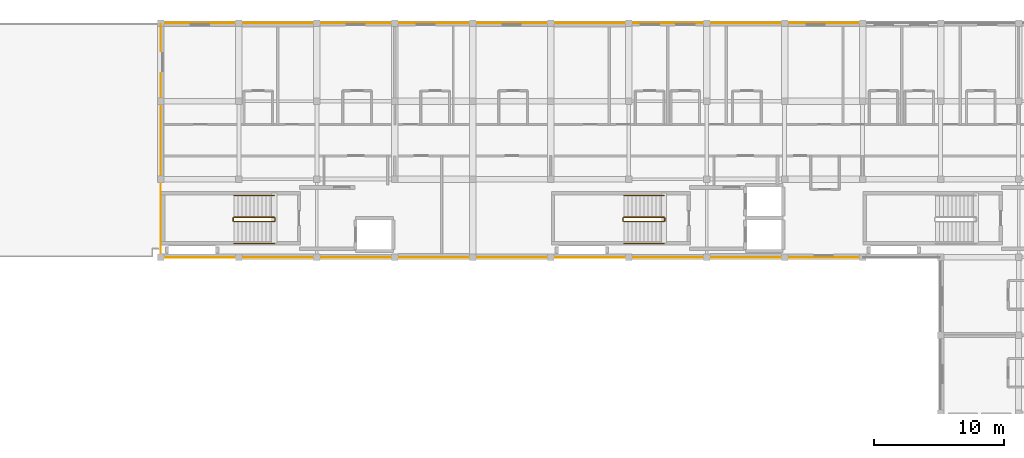
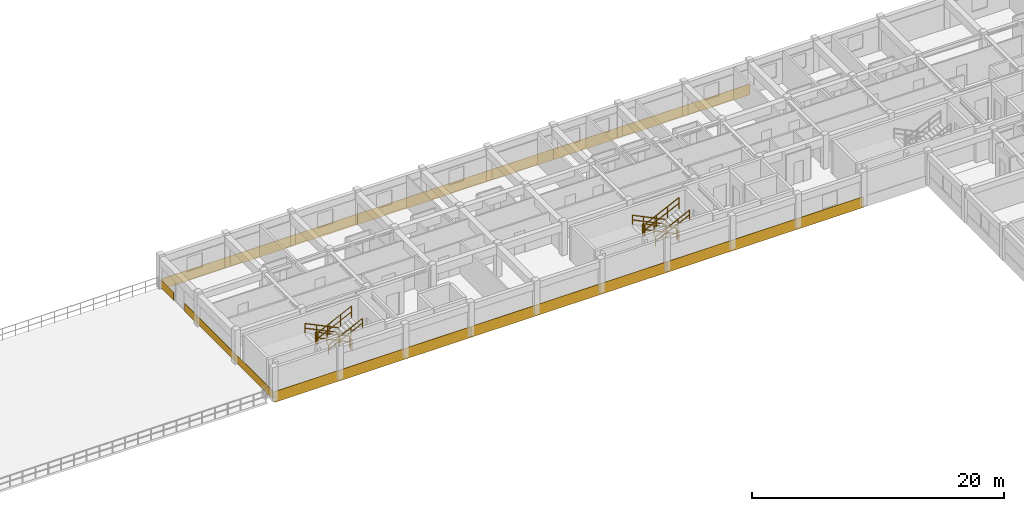
# One storey, part 14 of 15: 12 railings, 8 coverings.
"""IFC4 building model written with IfcOpenShell, lengths in metres."""

from ifc_helpers import new_model, si_unit, direction, frame, origin, origin_2d, place, context, subcontext, project, spatial, polyline, circle, outline, extrude, material, layer, layer_set, type_object, element, save


model = new_model("IFC4")

# Units and contexts
model_context = context("Model", 3, precision=1e-05, world=origin(), true_north=direction((0.0, 1.0)))
body_context = subcontext(model_context, "Body", "Model", "MODEL_VIEW")
ifc_project = project(units=[si_unit("LENGTHUNIT", "METRE"), si_unit("AREAUNIT", "SQUARE_METRE"), si_unit("VOLUMEUNIT", "CUBIC_METRE"), si_unit("PLANEANGLEUNIT", "RADIAN"), si_unit("MASSUNIT", "GRAM", prefix="KILO"), si_unit("THERMODYNAMICTEMPERATUREUNIT", "KELVIN"), si_unit("POWERUNIT", "WATT")], contexts=[model_context])

# Site, building, storey
site_placement = place(None, origin())
site = spatial("IfcSite", under=ifc_project, at=site_placement, CompositionType="ELEMENT")
building_placement = place(site_placement, origin())
building = spatial("IfcBuilding", under=site, at=building_placement, Name="Phaisarnlok Congress Hotel", CompositionType="ELEMENT")
storey_placement = place(building_placement, frame((0.0, 0.0, 38.10009765625)))
storey = spatial("IfcBuildingStorey", under=building, at=storey_placement, Name="L09", CompositionType="ELEMENT", Elevation=38.10009765625)

# Coverings
ifc_material_1 = material(Name="Anodised Silver Aluminium Alloy 6063-T6", Category="aluminium")
ifc_layer = layer(ifc_material_1, 0.031982421875, Name="Anodised Silver Aluminium Alloy 6063-T6")
ifc_layer_set = layer_set([ifc_layer], Name="Anodised Silver Aluminium Alloy 6063-T6")
covering_type = type_object("IfcCoveringType", Name="COV-SPAND-ALU", PredefinedType="CLADDING", material=ifc_layer_set)
for number, where, z_axis, x_axis, name in (
    (1, (120.06005859375, 125.9951171875, -0.280029296875), (0.0, 1.0, 0.0), (-1.0, 0.0, 0.0), "Swiss minimalist anodised silver rainscreen band CL-02 (L09 N)"),
    (2, (138.06005859375, 125.9951171875, -0.280029296875), (0.0, 1.0, 0.0), (-1.0, 0.0, 0.0), "Swiss minimalist anodised silver rainscreen band CL-02 (L09 N)"),
    (3, (156.06005859375, 125.9951171875, -0.280029296875), (0.0, 1.0, 0.0), (-1.0, 0.0, 0.0), "Swiss minimalist anodised silver rainscreen band CL-02 (L09 N)"),
    (4, (102.06005859375, 108.0048828125, -0.280029296875), (0.0, -1.0, 0.0), (1.0, 0.0, 0.0), "Swiss minimalist anodised silver rainscreen band CL-02 (L09 S)"),
    (5, (120.06005859375, 108.0048828125, -0.280029296875), (0.0, -1.0, 0.0), (1.0, 0.0, 0.0), "Swiss minimalist anodised silver rainscreen band CL-02 (L09 S)"),
    (6, (138.06005859375, 108.0048828125, -0.280029296875), (0.0, -1.0, 0.0), (1.0, 0.0, 0.0), "Swiss minimalist anodised silver rainscreen band CL-02 (L09 S)"),
):
    element("IfcCovering", number, at=place(storey_placement, frame(where, z_axis=z_axis, x_axis=x_axis)), inside=storey, type_object=covering_type, Name=name, PredefinedType="CLADDING", context=body_context, shape_type="SweptSolid", body=[
        extrude(outline(polyline([(0.0, 0.0), (18.0, 0.0), (18.0, 1.050048828125), (0.0, 1.050048828125), (0.0, 0.0)])), origin(), (0.0, 0.0, 1.0), 0.031982421875),
    ])
covering_1_placement = place(storey_placement, frame((102.0048828125, 122.139892578125, 0.02001953125), z_axis=(-1.0, 0.0, 0.0), x_axis=(0.0, -1.0, 0.0)))
element("IfcCovering", 7, at=covering_1_placement, inside=storey, type_object=covering_type, Name="Swiss minimalist anodised silver rainscreen band CL-02 (L09 WG)", PredefinedType="CLADDING", context=body_context, shape_type="SweptSolid", body=[
    extrude(outline(polyline([(0.0, 0.0), (14.079833984375, 0.0), (14.079833984375, 0.75), (0.0, 0.75), (0.0, 0.0)])), origin(), (0.0, 0.0, 1.0), 0.031982421875),
])
covering_2_placement = place(storey_placement, frame((102.0048828125, 125.93994140625, 0.02001953125), z_axis=(-1.0, 0.0, 0.0), x_axis=(0.0, -1.0, 0.0)))
element("IfcCovering", 8, at=covering_2_placement, inside=storey, type_object=covering_type, Name="Swiss minimalist anodised silver rainscreen band CL-02 (L09 WG)", PredefinedType="CLADDING", context=body_context, shape_type="SweptSolid", body=[
    extrude(outline(polyline([(0.0, 0.0), (2.079833984375, 0.0), (2.079833984375, 0.75), (0.0, 0.75), (0.0, 0.0)])), origin(), (0.0, 0.0, 1.0), 0.031982421875),
])

# Railings
ifc_material_2 = material(Name="Painted Galvanised Steel S275", Category="steel")
railing_type_1 = type_object("IfcRailingType", Name="RLG-STR-GUARD", PredefinedType="BALUSTRADE", material=ifc_material_2)
railing_1_placement = place(storey_placement, frame((140.719970703125, 111.070068359375, 0.14990234375)))
element("IfcRailing", 9, at=railing_1_placement, inside=storey, type_object=railing_type_1, Name="L09 ST-06 stair guard 1", PredefinedType="BALUSTRADE", context=body_context, shape_type="SweptSolid", body=[
    extrude(circle(Radius=0.02392578125, at=origin_2d()), frame((0.0, 0.0, 1.076171875), z_axis=(-0.900151181449, 0.0, 0.435577605641), x_axis=(0.0, -1.0, 0.0)), (0.0, 0.0, 1.0), 3.443603515625),
    extrude(circle(Radius=0.02392578125, at=origin_2d()), frame((0.0, 0.0, 0.52587890625), z_axis=(-0.900151181449, 0.0, 0.435577605641), x_axis=(0.0, -1.0, 0.0)), (0.0, 0.0, 1.0), 3.443603515625),
    extrude(circle(Radius=0.02099609375, at=origin_2d()), origin(), (0.0, 0.0, 1.0), 1.052001953125),
    extrude(circle(Radius=0.02099609375, at=origin_2d()), frame((-1.033203125, 0.0, 0.5)), (0.0, 0.0, 1.0), 1.052001953125),
    extrude(circle(Radius=0.02099609375, at=origin_2d()), frame((-2.066650390625, 0.0, 1.0)), (0.0, 0.0, 1.0), 1.052001953125),
    extrude(circle(Radius=0.02099609375, at=origin_2d()), frame((-3.099853515625, 0.0, 1.5)), (0.0, 0.0, 1.0), 1.052001953125),
])
railing_2_placement = place(storey_placement, frame((137.570068359375, 111.02001953125, 1.64990234375)))
element("IfcRailing", 10, at=railing_2_placement, inside=storey, type_object=railing_type_1, Name="L09 ST-06 stair guard 2", PredefinedType="BALUSTRADE", context=body_context, shape_type="SweptSolid", body=[
    extrude(circle(Radius=0.02392578125, at=origin_2d()), frame((0.0, 0.0, 1.076171875), z_axis=(0.0, -1.0, 0.0), x_axis=(1.0, 0.0, 0.0)), (0.0, 0.0, 1.0), 0.239990234375),
    extrude(circle(Radius=0.02392578125, at=origin_2d()), frame((0.0, 0.0, 0.52587890625), z_axis=(0.0, -1.0, 0.0), x_axis=(1.0, 0.0, 0.0)), (0.0, 0.0, 1.0), 0.239990234375),
    extrude(circle(Radius=0.02099609375, at=origin_2d()), origin(), (0.0, 0.0, 1.0), 1.052001953125),
    extrude(circle(Radius=0.02099609375, at=origin_2d()), frame((0.0, -0.239990234375, 0.0)), (0.0, 0.0, 1.0), 1.052001953125),
])
railing_3_placement = place(storey_placement, frame((137.6201171875, 110.72998046875, 1.7998046875)))
element("IfcRailing", 11, at=railing_3_placement, inside=storey, type_object=railing_type_1, Name="L09 ST-06 stair guard 3", PredefinedType="BALUSTRADE", context=body_context, shape_type="SweptSolid", body=[
    extrude(circle(Radius=0.02392578125, at=origin_2d()), frame((0.0, 0.0, 1.076171875), z_axis=(0.900151181449, 0.0, 0.435577605641), x_axis=(0.0, 1.0, 0.0)), (0.0, 0.0, 1.0), 3.443603515625),
    extrude(circle(Radius=0.02392578125, at=origin_2d()), frame((0.0, 0.0, 0.52587890625), z_axis=(0.900151181449, 0.0, 0.435577605641), x_axis=(0.0, 1.0, 0.0)), (0.0, 0.0, 1.0), 3.443603515625),
    extrude(circle(Radius=0.02099609375, at=origin_2d()), origin(), (0.0, 0.0, 1.0), 1.052001953125),
    extrude(circle(Radius=0.02099609375, at=origin_2d()), frame((1.033203125, 0.0, 0.5)), (0.0, 0.0, 1.0), 1.052001953125),
    extrude(circle(Radius=0.02099609375, at=origin_2d()), frame((2.066650390625, 0.0, 1.0)), (0.0, 0.0, 1.0), 1.052001953125),
    extrude(circle(Radius=0.02099609375, at=origin_2d()), frame((3.099853515625, 0.0, 1.5)), (0.0, 0.0, 1.0), 1.052001953125),
])
railing_4_placement = place(storey_placement, frame((140.77001953125, 111.02001953125, 0.0)))
element("IfcRailing", 12, at=railing_4_placement, inside=storey, type_object=railing_type_1, Name="L09 ST-06 stair guard 4", PredefinedType="BALUSTRADE", context=body_context, shape_type="SweptSolid", body=[
    extrude(circle(Radius=0.02392578125, at=origin_2d()), frame((0.0, 0.0, 1.076171875), z_axis=(0.0, -1.0, 0.0), x_axis=(1.0, 0.0, 0.0)), (0.0, 0.0, 1.0), 0.239990234375),
    extrude(circle(Radius=0.02392578125, at=origin_2d()), frame((0.0, 0.0, 0.52587890625), z_axis=(0.0, -1.0, 0.0), x_axis=(1.0, 0.0, 0.0)), (0.0, 0.0, 1.0), 0.239990234375),
    extrude(circle(Radius=0.02099609375, at=origin_2d()), origin(), (0.0, 0.0, 1.0), 1.052001953125),
    extrude(circle(Radius=0.02099609375, at=origin_2d()), frame((0.0, -0.239990234375, 0.0)), (0.0, 0.0, 1.0), 1.052001953125),
])
railing_5_placement = place(storey_placement, frame((110.719970703125, 111.070068359375, 0.14990234375)))
element("IfcRailing", 13, at=railing_5_placement, inside=storey, type_object=railing_type_1, Name="L09 ST-07 stair guard 1", PredefinedType="BALUSTRADE", context=body_context, shape_type="SweptSolid", body=[
    extrude(circle(Radius=0.02392578125, at=origin_2d()), frame((0.0, 0.0, 1.076171875), z_axis=(-0.900151181449, 0.0, 0.435577605641), x_axis=(0.0, -1.0, 0.0)), (0.0, 0.0, 1.0), 3.443603515625),
    extrude(circle(Radius=0.02392578125, at=origin_2d()), frame((0.0, 0.0, 0.52587890625), z_axis=(-0.900151181449, 0.0, 0.435577605641), x_axis=(0.0, -1.0, 0.0)), (0.0, 0.0, 1.0), 3.443603515625),
    extrude(circle(Radius=0.02099609375, at=origin_2d()), origin(), (0.0, 0.0, 1.0), 1.052001953125),
    extrude(circle(Radius=0.02099609375, at=origin_2d()), frame((-1.033203125, 0.0, 0.5)), (0.0, 0.0, 1.0), 1.052001953125),
    extrude(circle(Radius=0.02099609375, at=origin_2d()), frame((-2.066650390625, 0.0, 1.0)), (0.0, 0.0, 1.0), 1.052001953125),
    extrude(circle(Radius=0.02099609375, at=origin_2d()), frame((-3.099853515625, 0.0, 1.5)), (0.0, 0.0, 1.0), 1.052001953125),
])
railing_6_placement = place(storey_placement, frame((107.570068359375, 111.02001953125, 1.64990234375)))
element("IfcRailing", 14, at=railing_6_placement, inside=storey, type_object=railing_type_1, Name="L09 ST-07 stair guard 2", PredefinedType="BALUSTRADE", context=body_context, shape_type="SweptSolid", body=[
    extrude(circle(Radius=0.02392578125, at=origin_2d()), frame((0.0, 0.0, 1.076171875), z_axis=(0.0, -1.0, 0.0), x_axis=(1.0, 0.0, 0.0)), (0.0, 0.0, 1.0), 0.239990234375),
    extrude(circle(Radius=0.02392578125, at=origin_2d()), frame((0.0, 0.0, 0.52587890625), z_axis=(0.0, -1.0, 0.0), x_axis=(1.0, 0.0, 0.0)), (0.0, 0.0, 1.0), 0.239990234375),
    extrude(circle(Radius=0.02099609375, at=origin_2d()), origin(), (0.0, 0.0, 1.0), 1.052001953125),
    extrude(circle(Radius=0.02099609375, at=origin_2d()), frame((0.0, -0.239990234375, 0.0)), (0.0, 0.0, 1.0), 1.052001953125),
])
railing_7_placement = place(storey_placement, frame((107.6201171875, 110.72998046875, 1.7998046875)))
element("IfcRailing", 15, at=railing_7_placement, inside=storey, type_object=railing_type_1, Name="L09 ST-07 stair guard 3", PredefinedType="BALUSTRADE", context=body_context, shape_type="SweptSolid", body=[
    extrude(circle(Radius=0.02392578125, at=origin_2d()), frame((0.0, 0.0, 1.076171875), z_axis=(0.900151181449, 0.0, 0.435577605641), x_axis=(0.0, 1.0, 0.0)), (0.0, 0.0, 1.0), 3.443603515625),
    extrude(circle(Radius=0.02392578125, at=origin_2d()), frame((0.0, 0.0, 0.52587890625), z_axis=(0.900151181449, 0.0, 0.435577605641), x_axis=(0.0, 1.0, 0.0)), (0.0, 0.0, 1.0), 3.443603515625),
    extrude(circle(Radius=0.02099609375, at=origin_2d()), origin(), (0.0, 0.0, 1.0), 1.052001953125),
    extrude(circle(Radius=0.02099609375, at=origin_2d()), frame((1.033203125, 0.0, 0.5)), (0.0, 0.0, 1.0), 1.052001953125),
    extrude(circle(Radius=0.02099609375, at=origin_2d()), frame((2.066650390625, 0.0, 1.0)), (0.0, 0.0, 1.0), 1.052001953125),
    extrude(circle(Radius=0.02099609375, at=origin_2d()), frame((3.099853515625, 0.0, 1.5)), (0.0, 0.0, 1.0), 1.052001953125),
])
railing_8_placement = place(storey_placement, frame((110.77001953125, 111.02001953125, 0.0)))
element("IfcRailing", 16, at=railing_8_placement, inside=storey, type_object=railing_type_1, Name="L09 ST-07 stair guard 4", PredefinedType="BALUSTRADE", context=body_context, shape_type="SweptSolid", body=[
    extrude(circle(Radius=0.02392578125, at=origin_2d()), frame((0.0, 0.0, 1.076171875), z_axis=(0.0, -1.0, 0.0), x_axis=(1.0, 0.0, 0.0)), (0.0, 0.0, 1.0), 0.239990234375),
    extrude(circle(Radius=0.02392578125, at=origin_2d()), frame((0.0, 0.0, 0.52587890625), z_axis=(0.0, -1.0, 0.0), x_axis=(1.0, 0.0, 0.0)), (0.0, 0.0, 1.0), 0.239990234375),
    extrude(circle(Radius=0.02099609375, at=origin_2d()), origin(), (0.0, 0.0, 1.0), 1.052001953125),
    extrude(circle(Radius=0.02099609375, at=origin_2d()), frame((0.0, -0.239990234375, 0.0)), (0.0, 0.0, 1.0), 1.052001953125),
])
ifc_material_3 = material(Name="Brushed Stainless Steel Grade 304", Category="steel")
railing_type_2 = type_object("IfcRailingType", Name="RLG-STR-HRAIL", PredefinedType="HANDRAIL", material=ifc_material_3)
railing_9_placement = place(storey_placement, frame((140.719970703125, 112.75, 0.14990234375)))
element("IfcRailing", 17, at=railing_9_placement, inside=storey, type_object=railing_type_2, Name="L09 ST-06 stair handrail 1", PredefinedType="HANDRAIL", context=body_context, shape_type="SweptSolid", body=[
    extrude(circle(Radius=0.02392578125, at=origin_2d()), frame((0.0, 0.0, 0.8759765625), z_axis=(-0.900151181449, 0.0, 0.435577605641), x_axis=(0.0, -1.0, 0.0)), (0.0, 0.0, 1.0), 3.443603515625),
    extrude(circle(Radius=0.02392578125, at=origin_2d()), frame((0.0, 0.0, 0.42578125), z_axis=(-0.900151181449, 0.0, 0.435577605641), x_axis=(0.0, -1.0, 0.0)), (0.0, 0.0, 1.0), 3.443603515625),
    extrude(circle(Radius=0.02099609375, at=origin_2d()), origin(), (0.0, 0.0, 1.0), 0.851806640625),
    extrude(circle(Radius=0.02099609375, at=origin_2d()), frame((-1.033203125, 0.0, 0.5)), (0.0, 0.0, 1.0), 0.851806640625),
    extrude(circle(Radius=0.02099609375, at=origin_2d()), frame((-2.066650390625, 0.0, 1.0)), (0.0, 0.0, 1.0), 0.851806640625),
    extrude(circle(Radius=0.02099609375, at=origin_2d()), frame((-3.099853515625, 0.0, 1.5)), (0.0, 0.0, 1.0), 0.851806640625),
])
railing_10_placement = place(storey_placement, frame((137.6201171875, 109.050048828125, 1.7998046875)))
element("IfcRailing", 18, at=railing_10_placement, inside=storey, type_object=railing_type_2, Name="L09 ST-06 stair handrail 2", PredefinedType="HANDRAIL", context=body_context, shape_type="SweptSolid", body=[
    extrude(circle(Radius=0.02392578125, at=origin_2d()), frame((0.0, 0.0, 0.8759765625), z_axis=(0.900151181449, 0.0, 0.435577605641), x_axis=(0.0, 1.0, 0.0)), (0.0, 0.0, 1.0), 3.443603515625),
    extrude(circle(Radius=0.02392578125, at=origin_2d()), frame((0.0, 0.0, 0.42578125), z_axis=(0.900151181449, 0.0, 0.435577605641), x_axis=(0.0, 1.0, 0.0)), (0.0, 0.0, 1.0), 3.443603515625),
    extrude(circle(Radius=0.02099609375, at=origin_2d()), origin(), (0.0, 0.0, 1.0), 0.851806640625),
    extrude(circle(Radius=0.02099609375, at=origin_2d()), frame((1.033203125, 0.0, 0.5)), (0.0, 0.0, 1.0), 0.851806640625),
    extrude(circle(Radius=0.02099609375, at=origin_2d()), frame((2.066650390625, 0.0, 1.0)), (0.0, 0.0, 1.0), 0.851806640625),
    extrude(circle(Radius=0.02099609375, at=origin_2d()), frame((3.099853515625, 0.0, 1.5)), (0.0, 0.0, 1.0), 0.851806640625),
])
railing_11_placement = place(storey_placement, frame((110.719970703125, 112.75, 0.14990234375)))
element("IfcRailing", 19, at=railing_11_placement, inside=storey, type_object=railing_type_2, Name="L09 ST-07 stair handrail 1", PredefinedType="HANDRAIL", context=body_context, shape_type="SweptSolid", body=[
    extrude(circle(Radius=0.02392578125, at=origin_2d()), frame((0.0, 0.0, 0.8759765625), z_axis=(-0.900151181449, 0.0, 0.435577605641), x_axis=(0.0, -1.0, 0.0)), (0.0, 0.0, 1.0), 3.443603515625),
    extrude(circle(Radius=0.02392578125, at=origin_2d()), frame((0.0, 0.0, 0.42578125), z_axis=(-0.900151181449, 0.0, 0.435577605641), x_axis=(0.0, -1.0, 0.0)), (0.0, 0.0, 1.0), 3.443603515625),
    extrude(circle(Radius=0.02099609375, at=origin_2d()), origin(), (0.0, 0.0, 1.0), 0.851806640625),
    extrude(circle(Radius=0.02099609375, at=origin_2d()), frame((-1.033203125, 0.0, 0.5)), (0.0, 0.0, 1.0), 0.851806640625),
    extrude(circle(Radius=0.02099609375, at=origin_2d()), frame((-2.066650390625, 0.0, 1.0)), (0.0, 0.0, 1.0), 0.851806640625),
    extrude(circle(Radius=0.02099609375, at=origin_2d()), frame((-3.099853515625, 0.0, 1.5)), (0.0, 0.0, 1.0), 0.851806640625),
])
railing_12_placement = place(storey_placement, frame((107.6201171875, 109.050048828125, 1.7998046875)))
element("IfcRailing", 20, at=railing_12_placement, inside=storey, type_object=railing_type_2, Name="L09 ST-07 stair handrail 2", PredefinedType="HANDRAIL", context=body_context, shape_type="SweptSolid", body=[
    extrude(circle(Radius=0.02392578125, at=origin_2d()), frame((0.0, 0.0, 0.8759765625), z_axis=(0.900151181449, 0.0, 0.435577605641), x_axis=(0.0, 1.0, 0.0)), (0.0, 0.0, 1.0), 3.443603515625),
    extrude(circle(Radius=0.02392578125, at=origin_2d()), frame((0.0, 0.0, 0.42578125), z_axis=(0.900151181449, 0.0, 0.435577605641), x_axis=(0.0, 1.0, 0.0)), (0.0, 0.0, 1.0), 3.443603515625),
    extrude(circle(Radius=0.02099609375, at=origin_2d()), origin(), (0.0, 0.0, 1.0), 0.851806640625),
    extrude(circle(Radius=0.02099609375, at=origin_2d()), frame((1.033203125, 0.0, 0.5)), (0.0, 0.0, 1.0), 0.851806640625),
    extrude(circle(Radius=0.02099609375, at=origin_2d()), frame((2.066650390625, 0.0, 1.0)), (0.0, 0.0, 1.0), 0.851806640625),
    extrude(circle(Radius=0.02099609375, at=origin_2d()), frame((3.099853515625, 0.0, 1.5)), (0.0, 0.0, 1.0), 0.851806640625),
])

save(model, "model.ifc")
